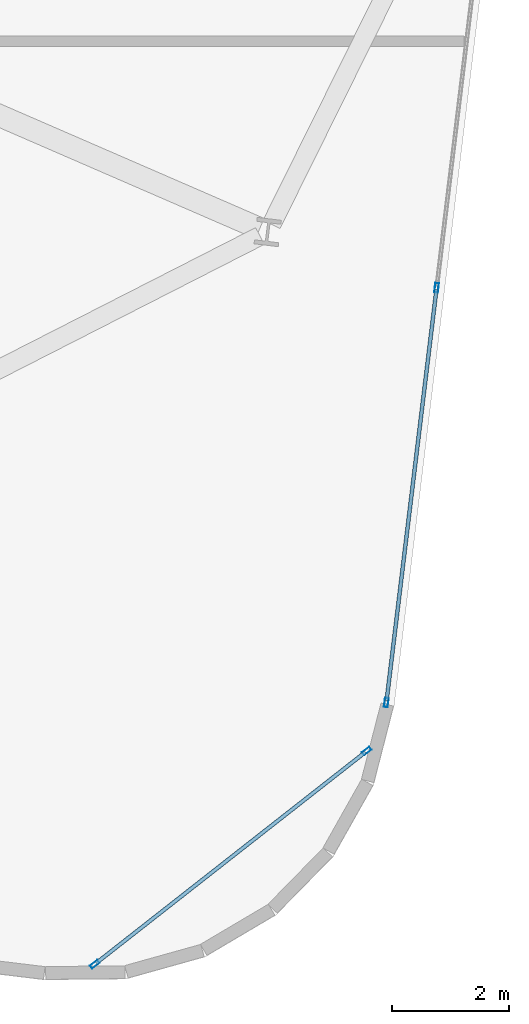
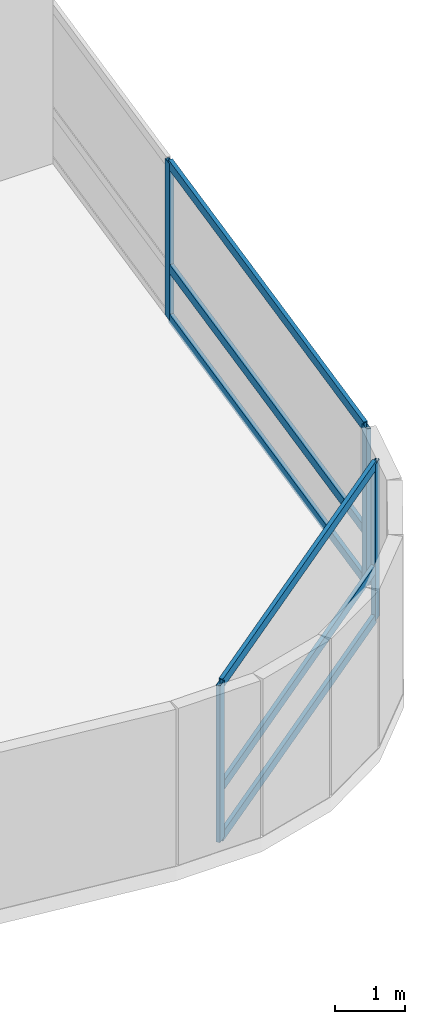
# One storey, part 14 of 25: 10 members, 2 elements without a shape of their own.
"""IFC4 building model written with IfcOpenShell, lengths in metres."""

import ifcopenshell
import ifcopenshell.guid

model = None  # the IFC model being written
_history = None  # IfcOwnerHistory: only IFC2X3 demands one
_inside = {}  # id of a spatial element -> (the spatial element, [elements in it])
_under = {}  # id of a project, library or spatial element -> (it, [spatial elements below it])
_declared = {}  # id of a project -> (the project, [libraries it declares])
_typed = {}  # id of a type object -> (the type object, [elements of that type])
_made_of = {}  # id of a material, layer set ... -> (it, [elements and type objects made of it])


def new_model(schema):
    """Start an empty IFC model of exactly this schema.

    Asked for "IFC4X3", IfcOpenShell would pick the latest addendum, in which some entities
    have other attributes; the version numbers below select the first issue.
    IFC2X3 requires an IfcOwnerHistory on every rooted entity: one is made here for all.
    """
    global model, _history
    if schema == "IFC4X3":
        model = ifcopenshell.file(schema_version=(4, 3, 0, 0))
    else:
        model = ifcopenshell.file(schema=schema)
    _inside.clear()
    _under.clear()
    _declared.clear()
    _typed.clear()
    _made_of.clear()
    _history = None
    if model.schema == "IFC2X3":
        org = make("IfcOrganization", Name="unknown")
        user = make(
            "IfcPersonAndOrganization",
            ThePerson=make("IfcPerson", FamilyName="unknown"),
            TheOrganization=org,
        )
        app = make(
            "IfcApplication",
            ApplicationDeveloper=org,
            Version="unknown",
            ApplicationFullName="unknown",
            ApplicationIdentifier="unknown",
        )
        _history = make(
            "IfcOwnerHistory",
            OwningUser=user,
            OwningApplication=app,
            ChangeAction="ADDED",
            CreationDate=0,
        )
    return model


def make(cls, **values):
    """One entity of the class cls with the attributes given. An attribute that is None is left unset."""
    return model.create_entity(
        cls, **{name: value for name, value in values.items() if value is not None}
    )


def rooted(cls, **values):
    """An entity with a GlobalId (a new one), such as an element, a storey or a relation."""
    return make(cls, GlobalId=ifcopenshell.guid.new(), OwnerHistory=_history, **values)


def si_unit(unit_type, name, prefix=None):
    """IfcSIUnit, for example si_unit("LENGTHUNIT", "METRE", prefix="MILLI")."""
    return make("IfcSIUnit", UnitType=unit_type, Prefix=prefix, Name=name)


def assignment(units):
    """IfcUnitAssignment: the units of a project."""
    return None if units is None else make("IfcUnitAssignment", Units=units)


def point(xyz):
    """IfcCartesianPoint."""
    return None if xyz is None else make("IfcCartesianPoint", Coordinates=xyz)


def direction(xyz):
    """IfcDirection."""
    return None if xyz is None else make("IfcDirection", DirectionRatios=xyz)


def frame(location, z_axis=None, x_axis=None):
    """IfcAxis2Placement3D, a coordinate frame: its origin and axes. An axis left out is left unset."""
    return make(
        "IfcAxis2Placement3D",
        Location=point(location),
        Axis=direction(z_axis),
        RefDirection=direction(x_axis),
    )


def frame_2d(location, x_axis=None):
    """IfcAxis2Placement2D, a coordinate frame in the plane: its origin and x axis."""
    return make(
        "IfcAxis2Placement2D", Location=point(location), RefDirection=direction(x_axis)
    )


def origin():
    """The frame at (0, 0, 0) with its axes left unset."""
    return frame((0.0, 0.0, 0.0))


def origin_2d():
    """The frame at (0, 0) in the plane with its x axis left unset."""
    return frame_2d((0.0, 0.0))


def place(relative_to, where):
    """IfcLocalPlacement: puts the frame where relative to a parent placement (None: the world)."""
    return make(
        "IfcLocalPlacement", PlacementRelTo=relative_to, RelativePlacement=where
    )


def context(
    kind, dimensions, precision=None, world=None, true_north=None, identifier=None
):
    """IfcGeometricRepresentationContext, for example the 3D "Model" context."""
    return make(
        "IfcGeometricRepresentationContext",
        ContextIdentifier=identifier,
        ContextType=kind,
        CoordinateSpaceDimension=dimensions,
        Precision=precision,
        WorldCoordinateSystem=world,
        TrueNorth=true_north,
    )


def subcontext(parent, identifier, kind, view, scale=None):
    """IfcGeometricRepresentationSubContext, for example "Body" below "Model"."""
    return make(
        "IfcGeometricRepresentationSubContext",
        ContextIdentifier=identifier,
        ContextType=kind,
        ParentContext=parent,
        TargetScale=scale,
        TargetView=view,
    )


def project(units=None, contexts=None):
    """IfcProject with its units and contexts."""
    return rooted(
        "IfcProject",
        Name="project",
        RepresentationContexts=contexts,
        UnitsInContext=assignment(units),
    )


def spatial(cls, under=None, at=None, **own):
    """A site, building, storey or space (cls), placed at a placement, below another one or the project."""
    s = rooted(cls, ObjectPlacement=at, **own)
    if under is not None:
        _under.setdefault(under.id(), (under, []))[1].append(s)
    return s


def profile(cls, at=None, kind="AREA", **sizes):
    """A parametric profile (cls). Its sizes go by their IFC names, for example OverallWidth=200.0."""
    return make(cls, ProfileType=kind, Position=at, **sizes)


def hollow_rectangle(**sizes):
    """IfcRectangleHollowProfileDef."""
    return profile("IfcRectangleHollowProfileDef", **sizes)


def extrude(swept, where, along, depth):
    """IfcExtrudedAreaSolid: the profile swept, set in the frame where, extruded along a direction by depth."""
    return make(
        "IfcExtrudedAreaSolid",
        SweptArea=swept,
        Position=where,
        ExtrudedDirection=direction(along),
        Depth=depth,
    )


def shape(context_of_items, identifier, shape_type, items):
    """IfcShapeRepresentation: the items that make up one representation, for example the "Body"."""
    return make(
        "IfcShapeRepresentation",
        ContextOfItems=context_of_items,
        RepresentationIdentifier=identifier,
        RepresentationType=shape_type,
        Items=items,
    )


def material(Name=None, Category=None):
    """IfcMaterial."""
    return make("IfcMaterial", Name=Name, Category=Category)


def layer(
    of_material, thickness, ventilated=None, Name=None, Category=None, Priority=None
):
    """IfcMaterialLayer: one layer of a wall or slab, of a material (None: an air gap)."""
    return make(
        "IfcMaterialLayer",
        Material=of_material,
        LayerThickness=thickness,
        IsVentilated=ventilated,
        Name=Name,
        Category=Category,
        Priority=Priority,
    )


def layer_set(layers, Name=None):
    """IfcMaterialLayerSet."""
    return make("IfcMaterialLayerSet", MaterialLayers=layers, LayerSetName=Name)


def material_profile(
    of_material, cross_section, Name=None, Category=None, Priority=None
):
    """IfcMaterialProfile: a cross section and its material."""
    return make(
        "IfcMaterialProfile",
        Name=Name,
        Material=of_material,
        Profile=cross_section,
        Priority=Priority,
        Category=Category,
    )


def profile_set(profiles, Name=None, composite=None):
    """IfcMaterialProfileSet."""
    return make(
        "IfcMaterialProfileSet",
        Name=Name,
        MaterialProfiles=profiles,
        CompositeProfile=composite,
    )


def made_of(thing, what):
    """Note that an element or type object is made of a material, layer set ...; save() writes the relation."""
    if what is not None:
        _made_of.setdefault(what.id(), (what, []))[1].append(thing)
    return thing


def type_object(cls, material=None, **own):
    """A type object (cls), such as IfcWallType, which elements share."""
    return made_of(rooted(cls, **own), material)


def element(
    cls,
    number,
    at=None,
    inside=None,
    cuts=None,
    type_object=None,
    material=None,
    context=None,
    identifier="Body",
    shape_type=None,
    held_by="IfcProductDefinitionShape",
    body=None,
    shapes=None,
    **own,
):
    """One element of the class cls, such as IfcWall. Its Tag is "e" and its number.

    at: its placement. inside: the storey or other place that contains it. cuts: it is an
    opening in that element (IfcRelVoidsElement). A single representation is given by context,
    identifier, shape_type and body (its items); several are given by shapes. held_by: the class
    of the entity that holds the representations. save() writes the other relations.
    """
    e = rooted(cls, Tag="e%d" % number, ObjectPlacement=at, **own)
    if body is not None:
        shapes = [shape(context, identifier, shape_type, body)]
    if shapes is not None:
        e.Representation = make(held_by, Representations=shapes)
    if inside is not None:
        _inside.setdefault(inside.id(), (inside, []))[1].append(e)
    if cuts is not None:
        rooted(
            "IfcRelVoidsElement", RelatingBuildingElement=cuts, RelatedOpeningElement=e
        )
    if type_object is not None:
        _typed.setdefault(type_object.id(), (type_object, []))[1].append(e)
    return made_of(e, material)


def aggregate(whole, parts):
    """IfcRelAggregates: a whole, such as a stair, and the parts it consists of."""
    return rooted("IfcRelAggregates", RelatingObject=whole, RelatedObjects=parts)


def save(model, path):
    """Write the relations noted so far, then the file.

    IfcRelAggregates (storeys below a building ...), IfcRelContainedInSpatialStructure (elements
    in a storey), IfcRelDefinesByType, IfcRelAssociatesMaterial and IfcRelDeclares: one each for
    every whole, place, type object, material and project.
    """
    for whole, parts in _under.values():
        aggregate(whole, parts)
    for where, things in _inside.values():
        rooted(
            "IfcRelContainedInSpatialStructure",
            RelatedElements=things,
            RelatingStructure=where,
        )
    for kind, things in _typed.values():
        rooted("IfcRelDefinesByType", RelatedObjects=things, RelatingType=kind)
    for what, things in _made_of.values():
        rooted("IfcRelAssociatesMaterial", RelatedObjects=things, RelatingMaterial=what)
    for by, libraries in _declared.values():
        rooted("IfcRelDeclares", RelatingContext=by, RelatedDefinitions=libraries)
    model.write(path)


model = new_model("IFC4")

# Units and contexts
model_context = context("Model", 3, precision=1e-05, world=origin(), true_north=direction((0.0, 1.0)))
body_context = subcontext(model_context, "Body", "Model", "MODEL_VIEW")
ifc_project = project(units=[si_unit("LENGTHUNIT", "METRE"), si_unit("AREAUNIT", "SQUARE_METRE"), si_unit("VOLUMEUNIT", "CUBIC_METRE"), si_unit("PLANEANGLEUNIT", "RADIAN"), si_unit("MASSUNIT", "GRAM", prefix="KILO")], contexts=[model_context])

# Site, building, storey
site_placement = place(None, origin())
site = spatial("IfcSite", under=ifc_project, at=site_placement, CompositionType="ELEMENT")
building_placement = place(site_placement, origin())
building = spatial("IfcBuilding", under=site, at=building_placement, Name="Varnelok Gate Tower", CompositionType="ELEMENT")
storey_placement = place(building_placement, frame((0.0, 0.0, 136.5)))
storey = spatial("IfcBuildingStorey", under=building, at=storey_placement, Name="L34", CompositionType="ELEMENT", Elevation=136.5)

# Curtain wall, members
ifc_material = material(Name="Anodized Aluminum Alloy 6063-T6", Category="aluminium")
ifc_layer_1 = layer(ifc_material, 0.179931640625)
ifc_layer_set_1 = layer_set([ifc_layer_1], Name="Anodized Aluminum Alloy 6063-T6")
curtain_wall_type_1 = type_object("IfcCurtainWallType", Name="CW3-HOTEL-VISION", PredefinedType="USERDEFINED", material=ifc_layer_set_1)
curtain_wall_1_placement = place(storey_placement, origin())
curtain_wall_1 = element("IfcCurtainWall", 1, at=curtain_wall_1_placement, inside=storey, type_object=curtain_wall_type_1, Name="L34 East End Vision Curtain Wall", ObjectType="UNITISED CURTAIN WALL", PredefinedType="USERDEFINED")
ifc_material_profile_1 = material_profile(ifc_material, hollow_rectangle(XDim=0.06494140625, YDim=0.159912109375, WallThickness=0.00390625, at=origin_2d()), Name="ALU160X65X4")
ifc_profile_set_1 = profile_set([ifc_material_profile_1], Name="Anodized Aluminum Alloy 6063-T6")
member_type_1 = type_object("IfcMemberType", Name="CW-MULL-160", PredefinedType="MULLION", material=ifc_profile_set_1)
member_1_placement = place(storey_placement, frame((74.69091796875, 10.118408203125, 0.0), z_axis=(0.0, 0.0, 1.0), x_axis=(0.99273188146, -0.120347046212, 0.0)))
member_1 = element("IfcMember", 2, at=member_1_placement, type_object=member_type_1, Name="CW3 mullion 5", PredefinedType="MULLION", context=body_context, shape_type="SweptSolid", body=[
    extrude(hollow_rectangle(XDim=0.06494140625, YDim=0.159912109375, WallThickness=0.00390625, at=origin_2d()), origin(), (0.0, 0.0, 1.0), 2.72998046875),
])
member_2_placement = place(storey_placement, frame((73.828369140625, 3.003173828125, 0.0), z_axis=(0.0, 0.0, 1.0), x_axis=(0.99273188146, -0.120347046212, 0.0)))
member_2 = element("IfcMember", 3, at=member_2_placement, type_object=member_type_1, Name="CW3 mullion 6", PredefinedType="MULLION", context=body_context, shape_type="SweptSolid", body=[
    extrude(hollow_rectangle(XDim=0.06494140625, YDim=0.159912109375, WallThickness=0.00390625, at=origin_2d()), origin(), (0.0, 0.0, 1.0), 2.72998046875),
])

ifc_layer_2 = layer(ifc_material, 0.179931640625)
ifc_layer_set_2 = layer_set([ifc_layer_2], Name="Anodized Aluminum Alloy 6063-T6")
curtain_wall_type_2 = type_object("IfcCurtainWallType", Name="CW5-WINDCORNER-GLAZ", PredefinedType="USERDEFINED", material=ifc_layer_set_2)
curtain_wall_2_placement = place(storey_placement, origin())
curtain_wall_2 = element("IfcCurtainWall", 4, at=curtain_wall_2_placement, inside=storey, type_object=curtain_wall_type_2, Name="L34 Wind-Shaped Corner Curtain Wall SE", ObjectType="STRUCTURAL GLAZING", PredefinedType="USERDEFINED")
member_3_placement = place(storey_placement, frame((68.824462890625, -1.48681640625, 0.0), z_axis=(0.0, 0.0, 1.0), x_axis=(-0.616864352232, 0.787069482921, 0.0)))
member_3 = element("IfcMember", 5, at=member_3_placement, type_object=member_type_1, Name="CW5 mullion 1", PredefinedType="MULLION", context=body_context, shape_type="SweptSolid", body=[
    extrude(hollow_rectangle(XDim=0.06494140625, YDim=0.159912109375, WallThickness=0.00390625, at=origin_2d()), origin(), (0.0, 0.0, 1.0), 2.72998046875),
])
member_4_placement = place(storey_placement, frame((73.492919921875, 2.171875, 0.0), z_axis=(0.0, 0.0, 1.0), x_axis=(-0.616864352232, 0.787069482921, 0.0)))
member_4 = element("IfcMember", 6, at=member_4_placement, type_object=member_type_1, Name="CW5 mullion 2", PredefinedType="MULLION", context=body_context, shape_type="SweptSolid", body=[
    extrude(hollow_rectangle(XDim=0.06494140625, YDim=0.159912109375, WallThickness=0.00390625, at=origin_2d()), origin(), (0.0, 0.0, 1.0), 2.72998046875),
])

# Member
ifc_material_profile_2 = material_profile(ifc_material, hollow_rectangle(XDim=0.06494140625, YDim=0.159912109375, WallThickness=0.00390625, at=origin_2d()), Name="ALU160X65X4")
ifc_profile_set_2 = profile_set([ifc_material_profile_2], Name="Anodized Aluminum Alloy 6063-T6")
member_type_2 = type_object("IfcMemberType", Name="CW-TRAN-160", PredefinedType="USERDEFINED", material=ifc_profile_set_2)
member_5_placement = place(storey_placement, frame((74.68701171875, 10.086181640625, 0.032470703125), z_axis=(-0.120344712857, -0.992732164326, 0.0), x_axis=(0.992732164326, -0.120344712857, 0.0)))
member_5 = element("IfcMember", 7, at=member_5_placement, type_object=member_type_2, Name="CW3 transom 5.1", ObjectType="TRANSOM", PredefinedType="USERDEFINED", context=body_context, shape_type="SweptSolid", body=[
    extrude(hollow_rectangle(XDim=0.06494140625, YDim=0.159912109375, WallThickness=0.00390625, at=origin_2d()), origin(), (0.0, 0.0, 1.0), 7.102294921875),
])

member_6_placement = place(storey_placement, frame((74.68701171875, 10.086181640625, 0.89990234375), z_axis=(-0.120344712857, -0.992732164326, 0.0), x_axis=(0.992732164326, -0.120344712857, 0.0)))
member_6 = element("IfcMember", 8, at=member_6_placement, type_object=member_type_2, Name="CW3 transom 5.2", ObjectType="TRANSOM", PredefinedType="USERDEFINED", context=body_context, shape_type="SweptSolid", body=[
    extrude(hollow_rectangle(XDim=0.06494140625, YDim=0.159912109375, WallThickness=0.00390625, at=origin_2d()), origin(), (0.0, 0.0, 1.0), 7.102294921875),
])

member_7_placement = place(storey_placement, frame((74.68701171875, 10.086181640625, 2.697509765625), z_axis=(-0.120344712857, -0.992732164326, 0.0), x_axis=(0.992732164326, -0.120344712857, 0.0)))
member_7 = element("IfcMember", 9, at=member_7_placement, type_object=member_type_2, Name="CW3 transom 5.3", ObjectType="TRANSOM", PredefinedType="USERDEFINED", context=body_context, shape_type="SweptSolid", body=[
    extrude(hollow_rectangle(XDim=0.06494140625, YDim=0.159912109375, WallThickness=0.00390625, at=origin_2d()), origin(), (0.0, 0.0, 1.0), 7.102294921875),
])

aggregate(curtain_wall_1, [member_1, member_2, member_5, member_6, member_7])

member_8_placement = place(storey_placement, frame((68.85009765625, -1.466796875, 0.032470703125), z_axis=(0.787074482704, 0.616857972856, 0.0), x_axis=(-0.616857972856, 0.787074482704, 0.0)))
member_8 = element("IfcMember", 10, at=member_8_placement, type_object=member_type_2, Name="CW5 transom 1.1", ObjectType="TRANSOM", PredefinedType="USERDEFINED", context=body_context, shape_type="SweptSolid", body=[
    extrude(hollow_rectangle(XDim=0.06494140625, YDim=0.159912109375, WallThickness=0.00390625, at=origin_2d()), origin(), (0.0, 0.0, 1.0), 5.8662109375),
])

member_9_placement = place(storey_placement, frame((68.85009765625, -1.466796875, 0.89990234375), z_axis=(0.787074482704, 0.616857972856, 0.0), x_axis=(-0.616857972856, 0.787074482704, 0.0)))
member_9 = element("IfcMember", 11, at=member_9_placement, type_object=member_type_2, Name="CW5 transom 1.2", ObjectType="TRANSOM", PredefinedType="USERDEFINED", context=body_context, shape_type="SweptSolid", body=[
    extrude(hollow_rectangle(XDim=0.06494140625, YDim=0.159912109375, WallThickness=0.00390625, at=origin_2d()), origin(), (0.0, 0.0, 1.0), 5.8662109375),
])

member_10_placement = place(storey_placement, frame((68.85009765625, -1.466796875, 2.697509765625), z_axis=(0.787074482704, 0.616857972856, 0.0), x_axis=(-0.616857972856, 0.787074482704, 0.0)))
member_10 = element("IfcMember", 12, at=member_10_placement, type_object=member_type_2, Name="CW5 transom 1.3", ObjectType="TRANSOM", PredefinedType="USERDEFINED", context=body_context, shape_type="SweptSolid", body=[
    extrude(hollow_rectangle(XDim=0.06494140625, YDim=0.159912109375, WallThickness=0.00390625, at=origin_2d()), origin(), (0.0, 0.0, 1.0), 5.8662109375),
])

aggregate(curtain_wall_2, [member_3, member_4, member_8, member_9, member_10])

save(model, "model.ifc")
